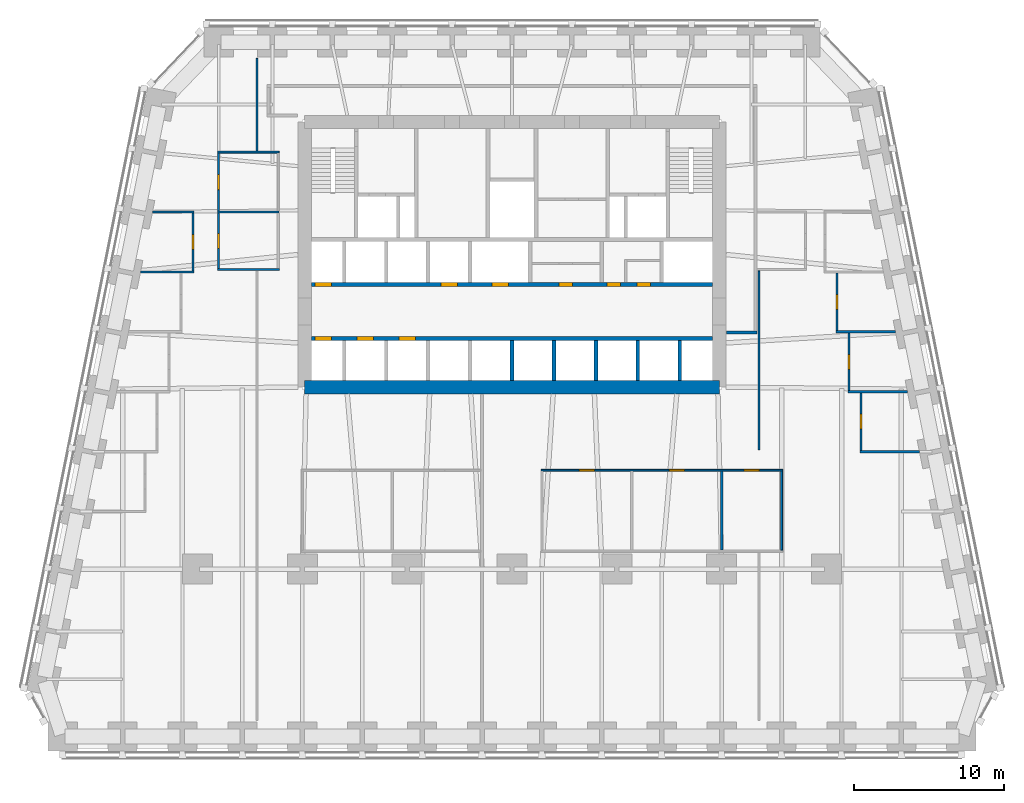
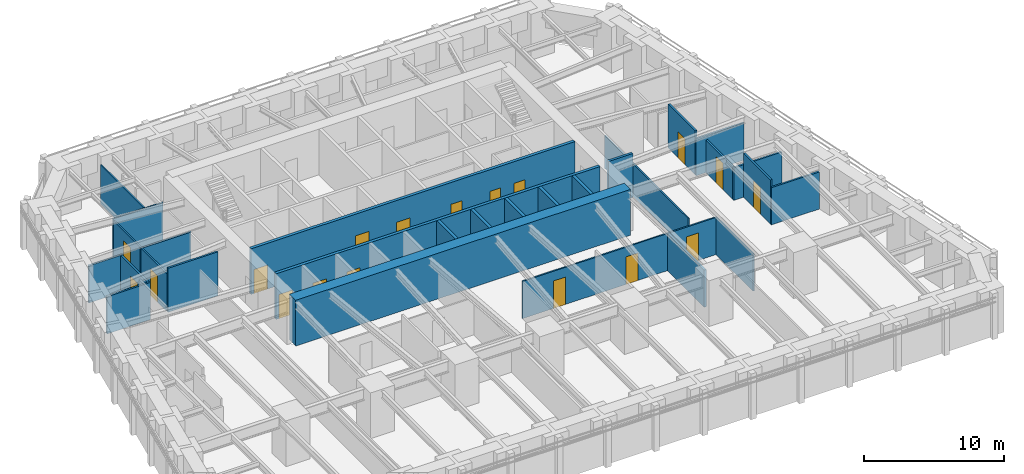
# One storey, part 6 of 10: 28 walls, 18 doors, 18 openings.
"""IFC4 building model written with IfcOpenShell, lengths in metres."""

from ifc_helpers import new_model, si_unit, direction, frame, frame_2d, origin, place, context, subcontext, project, spatial, rectangle, extrude, material, layer, layer_set, type_object, element, fill, save


model = new_model("IFC4")

# Units and contexts
model_context = context("Model", 3, precision=1e-05, world=origin(), true_north=direction((0.0, 1.0)))
body_context = subcontext(model_context, "Body", "Model", "MODEL_VIEW")
ifc_project = project(units=[si_unit("LENGTHUNIT", "METRE"), si_unit("AREAUNIT", "SQUARE_METRE"), si_unit("VOLUMEUNIT", "CUBIC_METRE"), si_unit("PLANEANGLEUNIT", "RADIAN"), si_unit("MASSUNIT", "GRAM", prefix="KILO")], contexts=[model_context])

# Site, building, storey
site_placement = place(None, origin())
site = spatial("IfcSite", under=ifc_project, at=site_placement, CompositionType="ELEMENT")
building_placement = place(site_placement, origin())
building = spatial("IfcBuilding", under=site, at=building_placement, Name="Isbrekke Arena Tower", CompositionType="ELEMENT")
storey_placement = place(building_placement, frame((0.0, 0.0, 64.0)))
storey = spatial("IfcBuildingStorey", under=building, at=storey_placement, Name="L13", CompositionType="ELEMENT", Elevation=64.0)

# Wall
ifc_material_1 = material(Name="Concrete B65 (C65/80)", Category="concrete")
ifc_layer_1 = layer(ifc_material_1, 0.89990234375)
ifc_layer_set_1 = layer_set([ifc_layer_1], Name="CW2 CORE WALL 900")
wall_type_1 = type_object("IfcWallType", Name="CW2 CORE WALL 900", PredefinedType="SHEAR", material=ifc_layer_set_1)
wall_1_placement = place(storey_placement, frame((-13.85009765625, 6.14990234375, 0.0), z_axis=(0.0, 0.0, 1.0), x_axis=(1.0, 0.0, 0.0)))
element("IfcWall", 1, at=wall_1_placement, inside=storey, type_object=wall_type_1, Name="Core wall S L13", PredefinedType="SHEAR", context=body_context, shape_type="SweptSolid", body=[
    extrude(rectangle(XDim=27.7001953125, YDim=0.89990234375, at=frame_2d((13.85009765625, 0.0))), origin(), (0.0, 0.0, 1.0), 4.0),
])

# Wall, openings, doors
ifc_material_2 = material(Name="Concrete B45 (C45/55)", Category="concrete")
ifc_layer_2 = layer(ifc_material_2, 0.25)
ifc_layer_set_2 = layer_set([ifc_layer_2], Name="CW6 SHAFT WALL 250")
wall_type_2 = type_object("IfcWallType", Name="CW6 SHAFT WALL 250", PredefinedType="SHEAR", material=ifc_layer_set_2)
wall_2_placement = place(storey_placement, frame((-13.39990234375, 9.39990234375, 0.0), z_axis=(0.0, 0.0, 1.0), x_axis=(1.0, 0.0, 0.0)))
wall_2 = element("IfcWall", 2, at=wall_2_placement, inside=storey, type_object=wall_type_2, Name="Core wall LS L13", PredefinedType="SHEAR", context=body_context, shape_type="SweptSolid", body=[
    extrude(rectangle(XDim=26.7998046875, YDim=0.25, at=frame_2d((13.39990234375, 0.0))), origin(), (0.0, 0.0, 1.0), 4.0),
])
opening_1_placement = place(wall_2_placement, frame((0.25, 0.0, 0.0)))
opening_1 = element("IfcOpeningElement", 3, at=opening_1_placement, cuts=wall_2, Name="Opening LD1", PredefinedType="OPENING", context=body_context, shape_type="SweptSolid", body=[
    extrude(rectangle(XDim=1.10009765625, YDim=2.10009765625, at=frame_2d((0.550048828125, 1.050048828125))), frame((0.0, 0.139892578125, 0.0), z_axis=(0.0, -1.0, 0.0), x_axis=(1.0, 0.0, 0.0)), (0.0, 0.0, 1.0), 0.27978515625),
])
opening_2_placement = place(wall_2_placement, frame((3.050048828125, 0.0, 0.0)))
opening_2 = element("IfcOpeningElement", 4, at=opening_2_placement, cuts=wall_2, Name="Opening LD1", PredefinedType="OPENING", context=body_context, shape_type="SweptSolid", body=[
    extrude(rectangle(XDim=1.10009765625, YDim=2.10009765625, at=frame_2d((0.550048828125, 1.050048828125))), frame((0.0, 0.139892578125, 0.0), z_axis=(0.0, -1.0, 0.0), x_axis=(1.0, 0.0, 0.0)), (0.0, 0.0, 1.0), 0.27978515625),
])
opening_3_placement = place(wall_2_placement, frame((5.85009765625, 0.0, 0.0)))
opening_3 = element("IfcOpeningElement", 5, at=opening_3_placement, cuts=wall_2, Name="Opening LD1", PredefinedType="OPENING", context=body_context, shape_type="SweptSolid", body=[
    extrude(rectangle(XDim=1.10009765625, YDim=2.10009765625, at=frame_2d((0.550048828125, 1.050048828125))), frame((0.0, 0.139892578125, 0.0), z_axis=(0.0, -1.0, 0.0), x_axis=(1.0, 0.0, 0.0)), (0.0, 0.0, 1.0), 0.27978515625),
])
ifc_material_3 = material(Name="Stainless steel lift landing door", Category="steel")
door_type_1 = type_object("IfcDoorType", Name="LD1 LIFT LANDING DOOR 1100 x 2100", OperationType="SLIDING_TO_LEFT", PredefinedType="DOOR", material=ifc_material_3)
door_1_placement = place(opening_1_placement, origin())
door_1 = element("IfcDoor", 6, at=door_1_placement, inside=storey, type_object=door_type_1, Name="LD1 lift landing door LA L13", OperationType="SLIDING_TO_LEFT", OverallHeight=2.10009765625, OverallWidth=1.10009765625, PredefinedType="DOOR", context=body_context, shape_type="SweptSolid", body=[
    extrude(rectangle(XDim=1.10009765625, YDim=2.10009765625, at=frame_2d((0.550048828125, 1.050048828125))), frame((0.0, 0.124755859375, 0.0), z_axis=(0.0, -1.0, 0.0), x_axis=(1.0, 0.0, 0.0)), (0.0, 0.0, 1.0), 0.24951171875),
])
fill(opening_1, door_1)
door_2_placement = place(opening_2_placement, origin())
door_2 = element("IfcDoor", 7, at=door_2_placement, inside=storey, type_object=door_type_1, Name="LD1 lift landing door LA L13", OperationType="SLIDING_TO_LEFT", OverallHeight=2.10009765625, OverallWidth=1.10009765625, PredefinedType="DOOR", context=body_context, shape_type="SweptSolid", body=[
    extrude(rectangle(XDim=1.10009765625, YDim=2.10009765625, at=frame_2d((0.550048828125, 1.050048828125))), frame((0.0, 0.124755859375, 0.0), z_axis=(0.0, -1.0, 0.0), x_axis=(1.0, 0.0, 0.0)), (0.0, 0.0, 1.0), 0.24951171875),
])
fill(opening_2, door_2)
door_3_placement = place(opening_3_placement, origin())
door_3 = element("IfcDoor", 8, at=door_3_placement, inside=storey, type_object=door_type_1, Name="LD1 lift landing door LA L13", OperationType="SLIDING_TO_LEFT", OverallHeight=2.10009765625, OverallWidth=1.10009765625, PredefinedType="DOOR", context=body_context, shape_type="SweptSolid", body=[
    extrude(rectangle(XDim=1.10009765625, YDim=2.10009765625, at=frame_2d((0.550048828125, 1.050048828125))), frame((0.0, 0.124755859375, 0.0), z_axis=(0.0, -1.0, 0.0), x_axis=(1.0, 0.0, 0.0)), (0.0, 0.0, 1.0), 0.24951171875),
])
fill(opening_3, door_3)

wall_3_placement = place(storey_placement, frame((-13.39990234375, 13.0, 0.0), z_axis=(0.0, 0.0, 1.0), x_axis=(1.0, 0.0, 0.0)))
wall_3 = element("IfcWall", 9, at=wall_3_placement, inside=storey, type_object=wall_type_2, Name="Core wall LN L13", PredefinedType="SHEAR", context=body_context, shape_type="SweptSolid", body=[
    extrude(rectangle(XDim=26.7998046875, YDim=0.25, at=frame_2d((13.39990234375, 0.0))), origin(), (0.0, 0.0, 1.0), 4.0),
])
opening_4_placement = place(wall_3_placement, frame((0.25, 0.0, 0.0)))
opening_4 = element("IfcOpeningElement", 10, at=opening_4_placement, cuts=wall_3, Name="Opening LD1", PredefinedType="OPENING", context=body_context, shape_type="SweptSolid", body=[
    extrude(rectangle(XDim=1.10009765625, YDim=2.10009765625, at=frame_2d((0.550048828125, 1.050048828125))), frame((0.0, 0.139892578125, 0.0), z_axis=(0.0, -1.0, 0.0), x_axis=(1.0, 0.0, 0.0)), (0.0, 0.0, 1.0), 0.27978515625),
])
opening_5_placement = place(wall_3_placement, frame((8.64990234375, 0.0, 0.0)))
opening_5 = element("IfcOpeningElement", 11, at=opening_5_placement, cuts=wall_3, Name="Opening LD1", PredefinedType="OPENING", context=body_context, shape_type="SweptSolid", body=[
    extrude(rectangle(XDim=1.10009765625, YDim=2.10009765625, at=frame_2d((0.550048828125, 1.050048828125))), frame((0.0, 0.139892578125, 0.0), z_axis=(0.0, -1.0, 0.0), x_axis=(1.0, 0.0, 0.0)), (0.0, 0.0, 1.0), 0.27978515625),
])
opening_6_placement = place(wall_3_placement, frame((12.050048828125, 0.0, 0.0)))
opening_6 = element("IfcOpeningElement", 12, at=opening_6_placement, cuts=wall_3, Name="Opening LD1", PredefinedType="OPENING", context=body_context, shape_type="SweptSolid", body=[
    extrude(rectangle(XDim=1.10009765625, YDim=2.10009765625, at=frame_2d((0.550048828125, 1.050048828125))), frame((0.0, 0.139892578125, 0.0), z_axis=(0.0, -1.0, 0.0), x_axis=(1.0, 0.0, 0.0)), (0.0, 0.0, 1.0), 0.27978515625),
])
opening_7_placement = place(wall_3_placement, frame((16.550048828125, 0.0, 0.0)))
opening_7 = element("IfcOpeningElement", 13, at=opening_7_placement, cuts=wall_3, Name="Opening D5", PredefinedType="OPENING", context=body_context, shape_type="SweptSolid", body=[
    extrude(rectangle(XDim=0.89990234375, YDim=2.10009765625, at=frame_2d((0.449951171875, 1.050048828125))), frame((0.0, 0.139892578125, 0.0), z_axis=(0.0, -1.0, 0.0), x_axis=(1.0, 0.0, 0.0)), (0.0, 0.0, 1.0), 0.27978515625),
])
opening_8_placement = place(wall_3_placement, frame((19.75, 0.0, 0.0)))
opening_8 = element("IfcOpeningElement", 14, at=opening_8_placement, cuts=wall_3, Name="Opening D5", PredefinedType="OPENING", context=body_context, shape_type="SweptSolid", body=[
    extrude(rectangle(XDim=0.89990234375, YDim=2.10009765625, at=frame_2d((0.449951171875, 1.050048828125))), frame((0.0, 0.139892578125, 0.0), z_axis=(0.0, -1.0, 0.0), x_axis=(1.0, 0.0, 0.0)), (0.0, 0.0, 1.0), 0.27978515625),
])
opening_9_placement = place(wall_3_placement, frame((21.75, 0.0, 0.0)))
opening_9 = element("IfcOpeningElement", 15, at=opening_9_placement, cuts=wall_3, Name="Opening D5", PredefinedType="OPENING", context=body_context, shape_type="SweptSolid", body=[
    extrude(rectangle(XDim=0.89990234375, YDim=2.10009765625, at=frame_2d((0.449951171875, 1.050048828125))), frame((0.0, 0.139892578125, 0.0), z_axis=(0.0, -1.0, 0.0), x_axis=(1.0, 0.0, 0.0)), (0.0, 0.0, 1.0), 0.27978515625),
])
ifc_material_4 = material(Name="Steel fire door", Category="steel")
door_type_2 = type_object("IfcDoorType", Name="D5 SERVICE DOOR 900 x 2100", OperationType="SINGLE_SWING_LEFT", PredefinedType="DOOR", material=ifc_material_4)
door_4_placement = place(opening_7_placement, origin())
door_4 = element("IfcDoor", 16, at=door_4_placement, inside=storey, type_object=door_type_2, Name="D5 tea point door L13", OperationType="SINGLE_SWING_LEFT", OverallHeight=2.10009765625, OverallWidth=0.89990234375, PredefinedType="DOOR", context=body_context, shape_type="SweptSolid", body=[
    extrude(rectangle(XDim=0.89990234375, YDim=2.10009765625, at=frame_2d((0.449951171875, 1.050048828125))), frame((0.0, 0.124755859375, 0.0), z_axis=(0.0, -1.0, 0.0), x_axis=(1.0, 0.0, 0.0)), (0.0, 0.0, 1.0), 0.24951171875),
])
fill(opening_7, door_4)
door_5_placement = place(opening_8_placement, origin())
door_5 = element("IfcDoor", 17, at=door_5_placement, inside=storey, type_object=door_type_2, Name="D5 communications room door L13", OperationType="SINGLE_SWING_LEFT", OverallHeight=2.10009765625, OverallWidth=0.89990234375, PredefinedType="DOOR", context=body_context, shape_type="SweptSolid", body=[
    extrude(rectangle(XDim=0.89990234375, YDim=2.10009765625, at=frame_2d((0.449951171875, 1.050048828125))), frame((0.0, 0.124755859375, 0.0), z_axis=(0.0, -1.0, 0.0), x_axis=(1.0, 0.0, 0.0)), (0.0, 0.0, 1.0), 0.24951171875),
])
fill(opening_8, door_5)
door_6_placement = place(opening_9_placement, origin())
door_6 = element("IfcDoor", 18, at=door_6_placement, inside=storey, type_object=door_type_2, Name="D5 cleaner's store door L13", OperationType="SINGLE_SWING_LEFT", OverallHeight=2.10009765625, OverallWidth=0.89990234375, PredefinedType="DOOR", context=body_context, shape_type="SweptSolid", body=[
    extrude(rectangle(XDim=0.89990234375, YDim=2.10009765625, at=frame_2d((0.449951171875, 1.050048828125))), frame((0.0, 0.124755859375, 0.0), z_axis=(0.0, -1.0, 0.0), x_axis=(1.0, 0.0, 0.0)), (0.0, 0.0, 1.0), 0.24951171875),
])
fill(opening_9, door_6)
door_7_placement = place(opening_4_placement, origin())
door_7 = element("IfcDoor", 19, at=door_7_placement, inside=storey, type_object=door_type_1, Name="LD1 lift landing door LA L13", OperationType="SLIDING_TO_LEFT", OverallHeight=2.10009765625, OverallWidth=1.10009765625, PredefinedType="DOOR", context=body_context, shape_type="SweptSolid", body=[
    extrude(rectangle(XDim=1.10009765625, YDim=2.10009765625, at=frame_2d((0.550048828125, 1.050048828125))), frame((0.0, 0.124755859375, 0.0), z_axis=(0.0, -1.0, 0.0), x_axis=(1.0, 0.0, 0.0)), (0.0, 0.0, 1.0), 0.24951171875),
])
fill(opening_4, door_7)
door_8_placement = place(opening_5_placement, origin())
door_8 = element("IfcDoor", 20, at=door_8_placement, inside=storey, type_object=door_type_1, Name="LD1 lift landing door LA L13", OperationType="SLIDING_TO_LEFT", OverallHeight=2.10009765625, OverallWidth=1.10009765625, PredefinedType="DOOR", context=body_context, shape_type="SweptSolid", body=[
    extrude(rectangle(XDim=1.10009765625, YDim=2.10009765625, at=frame_2d((0.550048828125, 1.050048828125))), frame((0.0, 0.124755859375, 0.0), z_axis=(0.0, -1.0, 0.0), x_axis=(1.0, 0.0, 0.0)), (0.0, 0.0, 1.0), 0.24951171875),
])
fill(opening_5, door_8)
door_9_placement = place(opening_6_placement, origin())
door_9 = element("IfcDoor", 21, at=door_9_placement, inside=storey, type_object=door_type_1, Name="LD1 lift landing door LA L13", OperationType="SLIDING_TO_LEFT", OverallHeight=2.10009765625, OverallWidth=1.10009765625, PredefinedType="DOOR", context=body_context, shape_type="SweptSolid", body=[
    extrude(rectangle(XDim=1.10009765625, YDim=2.10009765625, at=frame_2d((0.550048828125, 1.050048828125))), frame((0.0, 0.124755859375, 0.0), z_axis=(0.0, -1.0, 0.0), x_axis=(1.0, 0.0, 0.0)), (0.0, 0.0, 1.0), 0.24951171875),
])
fill(opening_6, door_9)

# Walls
for number, where, z_axis, x_axis, name in (
    (22, (0.0, 6.60009765625, 0.0), (0.0, 0.0, 1.0), (0.0, 1.0, 0.0), "Core wall SS05 L13"),
    (23, (2.800048828125, 6.60009765625, 0.0), (0.0, 0.0, 1.0), (0.0, 1.0, 0.0), "Core wall SS06 L13"),
    (24, (5.60009765625, 6.60009765625, 0.0), (0.0, 0.0, 1.0), (0.0, 1.0, 0.0), "Core wall SS07 L13"),
    (25, (8.39990234375, 6.60009765625, 0.0), (0.0, 0.0, 1.0), (0.0, 1.0, 0.0), "Core wall SS08 L13"),
    (26, (11.199951171875, 6.60009765625, 0.0), (0.0, 0.0, 1.0), (0.0, 1.0, 0.0), "Core wall SS09 L13"),
):
    element("IfcWall", number, at=place(storey_placement, frame(where, z_axis=z_axis, x_axis=x_axis)), inside=storey, type_object=wall_type_2, Name=name, PredefinedType="SHEAR", context=body_context, shape_type="SweptSolid", body=[
        extrude(rectangle(XDim=2.6748046875, YDim=0.25, at=frame_2d((1.33740234375, 0.0))), origin(), (0.0, 0.0, 1.0), 4.0),
    ])
ifc_material_5 = material(Name="Gypsum board partition on steel studs", Category="steel")
ifc_layer_3 = layer(ifc_material_5, 0.14990234375)
ifc_layer_set_3 = layer_set([ifc_layer_3], Name="IW1 PARTITION 150")
wall_type_3 = type_object("IfcWallType", Name="IW1 PARTITION 150", PredefinedType="PARTITIONING", material=ifc_layer_set_3)
wall_4_placement = place(storey_placement, frame((23.22509765625, 1.840087890625, 0.0), z_axis=(0.0, 0.0, 1.0), x_axis=(1.0, 0.0, 0.0)))
element("IfcWall", 27, at=wall_4_placement, inside=storey, type_object=wall_type_3, Name="IW1 partition 150 L13", PredefinedType="PARTITIONING", context=body_context, shape_type="SweptSolid", body=[
    extrude(rectangle(XDim=3.97119140625, YDim=0.14990234375, at=frame_2d((1.985595703125, 0.0))), origin(), (0.0, 0.0, 1.0), 3.25),
])
wall_5_placement = place(storey_placement, frame((22.425048828125, 5.840087890625, 0.0), z_axis=(0.0, 0.0, 1.0), x_axis=(1.0, 0.0, 0.0)))
element("IfcWall", 28, at=wall_5_placement, inside=storey, type_object=wall_type_3, Name="IW1 partition 150 L13", PredefinedType="PARTITIONING", context=body_context, shape_type="SweptSolid", body=[
    extrude(rectangle(XDim=3.971435546875, YDim=0.14990234375, at=frame_2d((1.98583984375, 0.0))), origin(), (0.0, 0.0, 1.0), 2.842041015625),
])
wall_6_placement = place(storey_placement, frame((21.625, 9.840087890625, 0.0), z_axis=(0.0, 0.0, 1.0), x_axis=(1.0, 0.0, 0.0)))
element("IfcWall", 29, at=wall_6_placement, inside=storey, type_object=wall_type_3, Name="IW1 partition 150 L13", PredefinedType="PARTITIONING", context=body_context, shape_type="SweptSolid", body=[
    extrude(rectangle(XDim=3.971435546875, YDim=0.14990234375, at=frame_2d((1.98583984375, 0.0))), origin(), (0.0, 0.0, 1.0), 3.25),
])
wall_7_placement = place(storey_placement, frame((-24.79638671875, 13.840087890625, 0.0), z_axis=(0.0, 0.0, 1.0), x_axis=(1.0, 0.0, 0.0)))
element("IfcWall", 30, at=wall_7_placement, inside=storey, type_object=wall_type_3, Name="IW1 partition 150 L13", PredefinedType="PARTITIONING", context=body_context, shape_type="SweptSolid", body=[
    extrude(rectangle(XDim=3.5712890625, YDim=0.14990234375, at=frame_2d((1.78564453125, 0.0))), origin(), (0.0, 0.0, 1.0), 3.25),
])
wall_8_placement = place(storey_placement, frame((-19.675048828125, 14.0, 0.0), z_axis=(0.0, 0.0, 1.0), x_axis=(1.0, 0.0, 0.0)))
element("IfcWall", 31, at=wall_8_placement, inside=storey, type_object=wall_type_3, Name="IW1 partition 150 L13", PredefinedType="PARTITIONING", context=body_context, shape_type="SweptSolid", body=[
    extrude(rectangle(XDim=4.150146484375, YDim=0.14990234375, at=frame_2d((2.0751953125, 0.0))), origin(), (0.0, 0.0, 1.0), 3.85009765625),
])
wall_9_placement = place(storey_placement, frame((-23.996337890625, 17.840087890625, 0.0), z_axis=(0.0, 0.0, 1.0), x_axis=(1.0, 0.0, 0.0)))
element("IfcWall", 32, at=wall_9_placement, inside=storey, type_object=wall_type_3, Name="IW1 partition 150 L13", PredefinedType="PARTITIONING", context=body_context, shape_type="SweptSolid", body=[
    extrude(rectangle(XDim=2.771240234375, YDim=0.14990234375, at=frame_2d((1.3857421875, 0.0))), origin(), (0.0, 0.0, 1.0), 3.25),
])
wall_10_placement = place(storey_placement, frame((-19.659912109375, 17.840087890625, 0.0), z_axis=(0.0, 0.0, 1.0), x_axis=(1.0, 0.0, 0.0)))
element("IfcWall", 33, at=wall_10_placement, inside=storey, type_object=wall_type_3, Name="IW1 partition 150 L13", PredefinedType="PARTITIONING", context=body_context, shape_type="SweptSolid", body=[
    extrude(rectangle(XDim=4.119873046875, YDim=0.14990234375, at=frame_2d((2.06005859375, 0.0))), origin(), (0.0, 0.0, 1.0), 3.25),
])

# Wall, opening, door
wall_11_placement = place(storey_placement, frame((-21.300048828125, 13.9150390625, 0.0), z_axis=(0.0, 0.0, 1.0), x_axis=(0.0, 1.0, 0.0)))
wall_11 = element("IfcWall", 34, at=wall_11_placement, inside=storey, type_object=wall_type_3, Name="IW1 partition 150 L13", PredefinedType="PARTITIONING", context=body_context, shape_type="SweptSolid", body=[
    extrude(rectangle(XDim=3.849853515625, YDim=0.14990234375, at=frame_2d((1.9248046875, 0.0))), origin(), (0.0, 0.0, 1.0), 3.25),
])
opening_10_placement = place(wall_11_placement, frame((1.425048828125, 0.0, 0.0)))
opening_10 = element("IfcOpeningElement", 35, at=opening_10_placement, cuts=wall_11, Name="Opening D10", PredefinedType="OPENING", context=body_context, shape_type="SweptSolid", body=[
    extrude(rectangle(XDim=1.0, YDim=2.300048828125, at=frame_2d((0.5, 1.14990234375))), frame((0.0, 0.08984375, 0.0), z_axis=(0.0, -1.0, 0.0), x_axis=(1.0, 0.0, 0.0)), (0.0, 0.0, 1.0), 0.1796875),
])
ifc_material_6 = material(Name="Timber door", Category="wood")
door_type_3 = type_object("IfcDoorType", Name="D10 OFFICE DOOR 1000 x 2300", OperationType="SINGLE_SWING_LEFT", PredefinedType="DOOR", material=ifc_material_6)
door_10_placement = place(opening_10_placement, origin())
door_10 = element("IfcDoor", 36, at=door_10_placement, inside=storey, type_object=door_type_3, Name="D10 office door L13", OperationType="SINGLE_SWING_LEFT", OverallHeight=2.300048828125, OverallWidth=1.0, PredefinedType="DOOR", context=body_context, shape_type="SweptSolid", body=[
    extrude(rectangle(XDim=1.0, YDim=2.300048828125, at=frame_2d((0.5, 1.14990234375))), frame((0.0, 0.07470703125, 0.0), z_axis=(0.0, -1.0, 0.0), x_axis=(1.0, 0.0, 0.0)), (0.0, 0.0, 1.0), 0.1494140625),
])
fill(opening_10, door_10)

wall_12_placement = place(storey_placement, frame((-19.60009765625, 14.074951171875, 0.0), z_axis=(0.0, 0.0, 1.0), x_axis=(0.0, 1.0, 0.0)))
wall_12 = element("IfcWall", 37, at=wall_12_placement, inside=storey, type_object=wall_type_3, Name="IW1 partition 150 L13", PredefinedType="PARTITIONING", context=body_context, shape_type="SweptSolid", body=[
    extrude(rectangle(XDim=3.68994140625, YDim=0.14990234375, at=frame_2d((1.844970703125, 0.0))), origin(), (0.0, 0.0, 1.0), 3.25),
])
opening_11_placement = place(wall_12_placement, frame((1.344970703125, 0.0, 0.0)))
opening_11 = element("IfcOpeningElement", 38, at=opening_11_placement, cuts=wall_12, Name="Opening D10", PredefinedType="OPENING", context=body_context, shape_type="SweptSolid", body=[
    extrude(rectangle(XDim=1.0, YDim=2.300048828125, at=frame_2d((0.5, 1.14990234375))), frame((0.0, 0.08984375, 0.0), z_axis=(0.0, -1.0, 0.0), x_axis=(1.0, 0.0, 0.0)), (0.0, 0.0, 1.0), 0.1796875),
])
door_11_placement = place(opening_11_placement, origin())
door_11 = element("IfcDoor", 39, at=door_11_placement, inside=storey, type_object=door_type_3, Name="D10 pantry door L13", OperationType="SINGLE_SWING_LEFT", OverallHeight=2.300048828125, OverallWidth=1.0, PredefinedType="DOOR", context=body_context, shape_type="SweptSolid", body=[
    extrude(rectangle(XDim=1.0, YDim=2.300048828125, at=frame_2d((0.5, 1.14990234375))), frame((0.0, 0.07470703125, 0.0), z_axis=(0.0, -1.0, 0.0), x_axis=(1.0, 0.0, 0.0)), (0.0, 0.0, 1.0), 0.1494140625),
])
fill(opening_11, door_11)

wall_13_placement = place(storey_placement, frame((21.699951171875, 9.9150390625, 0.0), z_axis=(0.0, 0.0, 1.0), x_axis=(0.0, 1.0, 0.0)))
wall_13 = element("IfcWall", 40, at=wall_13_placement, inside=storey, type_object=wall_type_3, Name="IW1 partition 150 L13", PredefinedType="PARTITIONING", context=body_context, shape_type="SweptSolid", body=[
    extrude(rectangle(XDim=3.849853515625, YDim=0.14990234375, at=frame_2d((1.9248046875, 0.0))), origin(), (0.0, 0.0, 1.0), 3.85009765625),
])
opening_12_placement = place(wall_13_placement, frame((1.425048828125, 0.0, 0.0)))
opening_12 = element("IfcOpeningElement", 41, at=opening_12_placement, cuts=wall_13, Name="Opening D10", PredefinedType="OPENING", context=body_context, shape_type="SweptSolid", body=[
    extrude(rectangle(XDim=1.0, YDim=2.300048828125, at=frame_2d((0.5, 1.14990234375))), frame((0.0, 0.08984375, 0.0), z_axis=(0.0, -1.0, 0.0), x_axis=(1.0, 0.0, 0.0)), (0.0, 0.0, 1.0), 0.1796875),
])
door_12_placement = place(opening_12_placement, origin())
door_12 = element("IfcDoor", 42, at=door_12_placement, inside=storey, type_object=door_type_3, Name="D10 office door L13", OperationType="SINGLE_SWING_LEFT", OverallHeight=2.300048828125, OverallWidth=1.0, PredefinedType="DOOR", context=body_context, shape_type="SweptSolid", body=[
    extrude(rectangle(XDim=1.0, YDim=2.300048828125, at=frame_2d((0.5, 1.14990234375))), frame((0.0, 0.07470703125, 0.0), z_axis=(0.0, -1.0, 0.0), x_axis=(1.0, 0.0, 0.0)), (0.0, 0.0, 1.0), 0.1494140625),
])
fill(opening_12, door_12)

wall_14_placement = place(storey_placement, frame((22.5, 5.9150390625, 0.0), z_axis=(0.0, 0.0, 1.0), x_axis=(0.0, 1.0, 0.0)))
wall_14 = element("IfcWall", 43, at=wall_14_placement, inside=storey, type_object=wall_type_3, Name="IW1 partition 150 L13", PredefinedType="PARTITIONING", context=body_context, shape_type="SweptSolid", body=[
    extrude(rectangle(XDim=3.849853515625, YDim=0.14990234375, at=frame_2d((1.9248046875, 0.0))), origin(), (0.0, 0.0, 1.0), 2.842041015625),
])
opening_13_placement = place(wall_14_placement, frame((1.425048828125, 0.0, 0.0)))
opening_13 = element("IfcOpeningElement", 44, at=opening_13_placement, cuts=wall_14, Name="Opening D10", PredefinedType="OPENING", context=body_context, shape_type="SweptSolid", body=[
    extrude(rectangle(XDim=1.0, YDim=2.300048828125, at=frame_2d((0.5, 1.14990234375))), frame((0.0, 0.08984375, 0.0), z_axis=(0.0, -1.0, 0.0), x_axis=(1.0, 0.0, 0.0)), (0.0, 0.0, 1.0), 0.1796875),
])
door_13_placement = place(opening_13_placement, origin())
door_13 = element("IfcDoor", 45, at=door_13_placement, inside=storey, type_object=door_type_3, Name="D10 office door L13", OperationType="SINGLE_SWING_LEFT", OverallHeight=2.300048828125, OverallWidth=1.0, PredefinedType="DOOR", context=body_context, shape_type="SweptSolid", body=[
    extrude(rectangle(XDim=1.0, YDim=2.300048828125, at=frame_2d((0.5, 1.14990234375))), frame((0.0, 0.07470703125, 0.0), z_axis=(0.0, -1.0, 0.0), x_axis=(1.0, 0.0, 0.0)), (0.0, 0.0, 1.0), 0.1494140625),
])
fill(opening_13, door_13)

wall_15_placement = place(storey_placement, frame((23.300048828125, 1.9150390625, 0.0), z_axis=(0.0, 0.0, 1.0), x_axis=(0.0, 1.0, 0.0)))
wall_15 = element("IfcWall", 46, at=wall_15_placement, inside=storey, type_object=wall_type_3, Name="IW1 partition 150 L13", PredefinedType="PARTITIONING", context=body_context, shape_type="SweptSolid", body=[
    extrude(rectangle(XDim=3.849853515625, YDim=0.14990234375, at=frame_2d((1.9248046875, 0.0))), origin(), (0.0, 0.0, 1.0), 3.85009765625),
])
opening_14_placement = place(wall_15_placement, frame((1.425048828125, 0.0, 0.0)))
opening_14 = element("IfcOpeningElement", 47, at=opening_14_placement, cuts=wall_15, Name="Opening D10", PredefinedType="OPENING", context=body_context, shape_type="SweptSolid", body=[
    extrude(rectangle(XDim=1.0, YDim=2.300048828125, at=frame_2d((0.5, 1.14990234375))), frame((0.0, 0.08984375, 0.0), z_axis=(0.0, -1.0, 0.0), x_axis=(1.0, 0.0, 0.0)), (0.0, 0.0, 1.0), 0.1796875),
])
door_14_placement = place(opening_14_placement, origin())
door_14 = element("IfcDoor", 48, at=door_14_placement, inside=storey, type_object=door_type_3, Name="D10 office door L13", OperationType="SINGLE_SWING_LEFT", OverallHeight=2.300048828125, OverallWidth=1.0, PredefinedType="DOOR", context=body_context, shape_type="SweptSolid", body=[
    extrude(rectangle(XDim=1.0, YDim=2.300048828125, at=frame_2d((0.5, 1.14990234375))), frame((0.0, 0.07470703125, 0.0), z_axis=(0.0, -1.0, 0.0), x_axis=(1.0, 0.0, 0.0)), (0.0, 0.0, 1.0), 0.1494140625),
])
fill(opening_14, door_14)

# Wall, openings, doors
ifc_material_7 = material(Name="Frameless glazed partition, laminated acoustic glass", Category="glass")
ifc_layer_4 = layer(ifc_material_7, 0.1201171875)
ifc_layer_set_4 = layer_set([ifc_layer_4], Name="IW2 GLAZED PARTITION 120")
wall_type_4 = type_object("IfcWallType", Name="IW2 GLAZED PARTITION 120", PredefinedType="PARTITIONING", material=ifc_layer_set_4)
wall_16_placement = place(storey_placement, frame((1.93994140625, 0.60009765625, 0.0), z_axis=(0.0, 0.0, 1.0), x_axis=(1.0, 0.0, 0.0)))
wall_16 = element("IfcWall", 49, at=wall_16_placement, inside=storey, type_object=wall_type_4, Name="IW2 glazed partition 120 L13", PredefinedType="PARTITIONING", context=body_context, shape_type="SweptSolid", body=[
    extrude(rectangle(XDim=16.1201171875, YDim=0.1201171875, at=frame_2d((8.06005859375, 0.0))), origin(), (0.0, 0.0, 1.0), 3.25),
])
opening_15_placement = place(wall_16_placement, frame((2.56005859375, 0.0, 0.0)))
opening_15 = element("IfcOpeningElement", 50, at=opening_15_placement, cuts=wall_16, Name="Opening D11", PredefinedType="OPENING", context=body_context, shape_type="SweptSolid", body=[
    extrude(rectangle(XDim=1.0, YDim=2.39990234375, at=frame_2d((0.5, 1.199951171875))), frame((0.0, 0.074951171875, 0.0), z_axis=(0.0, -1.0, 0.0), x_axis=(1.0, 0.0, 0.0)), (0.0, 0.0, 1.0), 0.14990234375),
])
opening_16_placement = place(wall_16_placement, frame((8.56005859375, 0.0, 0.0)))
opening_16 = element("IfcOpeningElement", 51, at=opening_16_placement, cuts=wall_16, Name="Opening D11", PredefinedType="OPENING", context=body_context, shape_type="SweptSolid", body=[
    extrude(rectangle(XDim=1.0, YDim=2.39990234375, at=frame_2d((0.5, 1.199951171875))), frame((0.0, 0.074951171875, 0.0), z_axis=(0.0, -1.0, 0.0), x_axis=(1.0, 0.0, 0.0)), (0.0, 0.0, 1.0), 0.14990234375),
])
opening_17_placement = place(wall_16_placement, frame((13.56005859375, 0.0, 0.0)))
opening_17 = element("IfcOpeningElement", 52, at=opening_17_placement, cuts=wall_16, Name="Opening D11", PredefinedType="OPENING", context=body_context, shape_type="SweptSolid", body=[
    extrude(rectangle(XDim=1.0, YDim=2.39990234375, at=frame_2d((0.5, 1.199951171875))), frame((0.0, 0.074951171875, 0.0), z_axis=(0.0, -1.0, 0.0), x_axis=(1.0, 0.0, 0.0)), (0.0, 0.0, 1.0), 0.14990234375),
])
ifc_material_8 = material(Name="Frameless glazed door", Category="glass")
door_type_4 = type_object("IfcDoorType", Name="D11 GLAZED MEETING ROOM DOOR 1000 x 2400", OperationType="SINGLE_SWING_RIGHT", PredefinedType="DOOR", material=ifc_material_8)
door_15_placement = place(opening_15_placement, origin())
door_15 = element("IfcDoor", 53, at=door_15_placement, inside=storey, type_object=door_type_4, Name="D11 meeting room door L13", OperationType="SINGLE_SWING_RIGHT", OverallHeight=2.39990234375, OverallWidth=1.0, PredefinedType="DOOR", context=body_context, shape_type="SweptSolid", body=[
    extrude(rectangle(XDim=1.0, YDim=2.39990234375, at=frame_2d((0.5, 1.199951171875))), frame((0.0, 0.059814453125, 0.0), z_axis=(0.0, -1.0, 0.0), x_axis=(1.0, 0.0, 0.0)), (0.0, 0.0, 1.0), 0.11962890625),
])
fill(opening_15, door_15)
door_16_placement = place(opening_16_placement, origin())
door_16 = element("IfcDoor", 54, at=door_16_placement, inside=storey, type_object=door_type_4, Name="D11 meeting room door L13", OperationType="SINGLE_SWING_RIGHT", OverallHeight=2.39990234375, OverallWidth=1.0, PredefinedType="DOOR", context=body_context, shape_type="SweptSolid", body=[
    extrude(rectangle(XDim=1.0, YDim=2.39990234375, at=frame_2d((0.5, 1.199951171875))), frame((0.0, 0.059814453125, 0.0), z_axis=(0.0, -1.0, 0.0), x_axis=(1.0, 0.0, 0.0)), (0.0, 0.0, 1.0), 0.11962890625),
])
fill(opening_16, door_16)
door_17_placement = place(opening_17_placement, origin())
door_17 = element("IfcDoor", 55, at=door_17_placement, inside=storey, type_object=door_type_4, Name="D11 quiet room door L13", OperationType="SINGLE_SWING_RIGHT", OverallHeight=2.39990234375, OverallWidth=1.0, PredefinedType="DOOR", context=body_context, shape_type="SweptSolid", body=[
    extrude(rectangle(XDim=1.0, YDim=2.39990234375, at=frame_2d((0.5, 1.199951171875))), frame((0.0, 0.059814453125, 0.0), z_axis=(0.0, -1.0, 0.0), x_axis=(1.0, 0.0, 0.0)), (0.0, 0.0, 1.0), 0.11962890625),
])
fill(opening_17, door_17)

# Wall
wall_17_placement = place(storey_placement, frame((-19.659912109375, 21.840087890625, 0.0), z_axis=(0.0, 0.0, 1.0), x_axis=(1.0, 0.0, 0.0)))
element("IfcWall", 56, at=wall_17_placement, inside=storey, type_object=wall_type_4, Name="IW2 glazed partition 120 L13", PredefinedType="PARTITIONING", context=body_context, shape_type="SweptSolid", body=[
    extrude(rectangle(XDim=4.119873046875, YDim=0.1201171875, at=frame_2d((2.06005859375, 0.0))), origin(), (0.0, 0.0, 1.0), 3.39990234375),
])

# Wall, opening, door
wall_18_placement = place(storey_placement, frame((-19.60009765625, 17.9150390625, 0.0), z_axis=(0.0, 0.0, 1.0), x_axis=(0.0, 1.0, 0.0)))
wall_18 = element("IfcWall", 57, at=wall_18_placement, inside=storey, type_object=wall_type_4, Name="IW2 glazed partition 120 L13", PredefinedType="PARTITIONING", context=body_context, shape_type="SweptSolid", body=[
    extrude(rectangle(XDim=3.864990234375, YDim=0.1201171875, at=frame_2d((1.9326171875, 0.0))), origin(), (0.0, 0.0, 1.0), 3.25),
])
opening_18_placement = place(wall_18_placement, frame((1.425048828125, 0.0, 0.0)))
opening_18 = element("IfcOpeningElement", 58, at=opening_18_placement, cuts=wall_18, Name="Opening D11", PredefinedType="OPENING", context=body_context, shape_type="SweptSolid", body=[
    extrude(rectangle(XDim=1.0, YDim=2.39990234375, at=frame_2d((0.5, 1.199951171875))), frame((0.0, 0.074951171875, 0.0), z_axis=(0.0, -1.0, 0.0), x_axis=(1.0, 0.0, 0.0)), (0.0, 0.0, 1.0), 0.14990234375),
])
door_18_placement = place(opening_18_placement, origin())
door_18 = element("IfcDoor", 59, at=door_18_placement, inside=storey, type_object=door_type_4, Name="D11 quiet room door L13", OperationType="SINGLE_SWING_RIGHT", OverallHeight=2.39990234375, OverallWidth=1.0, PredefinedType="DOOR", context=body_context, shape_type="SweptSolid", body=[
    extrude(rectangle(XDim=1.0, YDim=2.39990234375, at=frame_2d((0.5, 1.199951171875))), frame((0.0, 0.059814453125, 0.0), z_axis=(0.0, -1.0, 0.0), x_axis=(1.0, 0.0, 0.0)), (0.0, 0.0, 1.0), 0.11962890625),
])
fill(opening_18, door_18)

# Walls
wall_19_placement = place(storey_placement, frame((18.0, -4.739990234375, 0.0), z_axis=(0.0, 0.0, 1.0), x_axis=(0.0, 1.0, 0.0)))
element("IfcWall", 60, at=wall_19_placement, inside=storey, type_object=wall_type_4, Name="IW2 glazed partition 120 L13", PredefinedType="PARTITIONING", context=body_context, shape_type="SweptSolid", body=[
    extrude(rectangle(XDim=5.280029296875, YDim=0.1201171875, at=frame_2d((2.64013671875, 0.0))), origin(), (0.0, 0.0, 1.0), 3.25),
])
wall_20_placement = place(storey_placement, frame((-17.01904296875, 21.919921875, 0.0), z_axis=(0.0, 0.0, 1.0), x_axis=(0.0, 1.0, 0.0)))
element("IfcWall", 61, at=wall_20_placement, inside=storey, type_object=wall_type_4, Name="IW2 glazed partition 120 L13", PredefinedType="PARTITIONING", context=body_context, shape_type="SweptSolid", body=[
    extrude(rectangle(XDim=6.18017578125, YDim=0.1201171875, at=frame_2d((3.090087890625, 0.0))), origin(), (0.0, 0.0, 1.0), 3.39990234375),
])
wall_21_placement = place(storey_placement, frame((16.490966796875, 1.9599609375, 0.0), z_axis=(0.0, 0.0, 1.0), x_axis=(0.0, 1.0, 0.0)))
element("IfcWall", 62, at=wall_21_placement, inside=storey, type_object=wall_type_4, Name="IW2 glazed partition 120 L13", PredefinedType="PARTITIONING", context=body_context, shape_type="SweptSolid", body=[
    extrude(rectangle(XDim=11.945068359375, YDim=0.1201171875, at=frame_2d((5.97265625, 0.0))), origin(), (0.0, 0.0, 1.0), 2.842041015625),
])
ifc_material_9 = material(Name="Gypsum board fire-cell wall on steel studs, two layers each side", Category="steel")
ifc_layer_5 = layer(ifc_material_9, 0.199951171875)
ifc_layer_set_5 = layer_set([ifc_layer_5], Name="IW3 FIRE-CELL WALL 200")
wall_type_5 = type_object("IfcWallType", Name="IW3 FIRE-CELL WALL 200", PredefinedType="PARTITIONING", material=ifc_layer_set_5)
wall_22_placement = place(storey_placement, frame((14.330078125, 9.800048828125, 0.0), z_axis=(0.0, 0.0, 1.0), x_axis=(1.0, 0.0, 0.0)))
element("IfcWall", 63, at=wall_22_placement, inside=storey, type_object=wall_type_5, Name="IW3 fire-cell wall 200 L13", PredefinedType="PARTITIONING", context=body_context, shape_type="SweptSolid", body=[
    extrude(rectangle(XDim=2.02001953125, YDim=0.199951171875, at=frame_2d((1.010009765625, 0.0))), origin(), (0.0, 0.0, 1.0), 3.85009765625),
])
ifc_material_10 = material(Name="Gypsum board acoustic partition on twin steel studs", Category="steel")
ifc_layer_6 = layer(ifc_material_10, 0.175048828125)
ifc_layer_set_6 = layer_set([ifc_layer_6], Name="IW4 ACOUSTIC PARTITION 175")
wall_type_6 = type_object("IfcWallType", Name="IW4 ACOUSTIC PARTITION 175", PredefinedType="PARTITIONING", material=ifc_layer_set_6)
wall_23_placement = place(storey_placement, frame((14.0, -4.739990234375, 0.0), z_axis=(0.0, 0.0, 1.0), x_axis=(0.0, 1.0, 0.0)))
element("IfcWall", 64, at=wall_23_placement, inside=storey, type_object=wall_type_6, Name="IW4 acoustic partition 175 L13", PredefinedType="PARTITIONING", context=body_context, shape_type="SweptSolid", body=[
    extrude(rectangle(XDim=5.280029296875, YDim=0.175048828125, at=frame_2d((2.64013671875, 0.0))), origin(), (0.0, 0.0, 1.0), 3.25),
])

save(model, "model.ifc")
